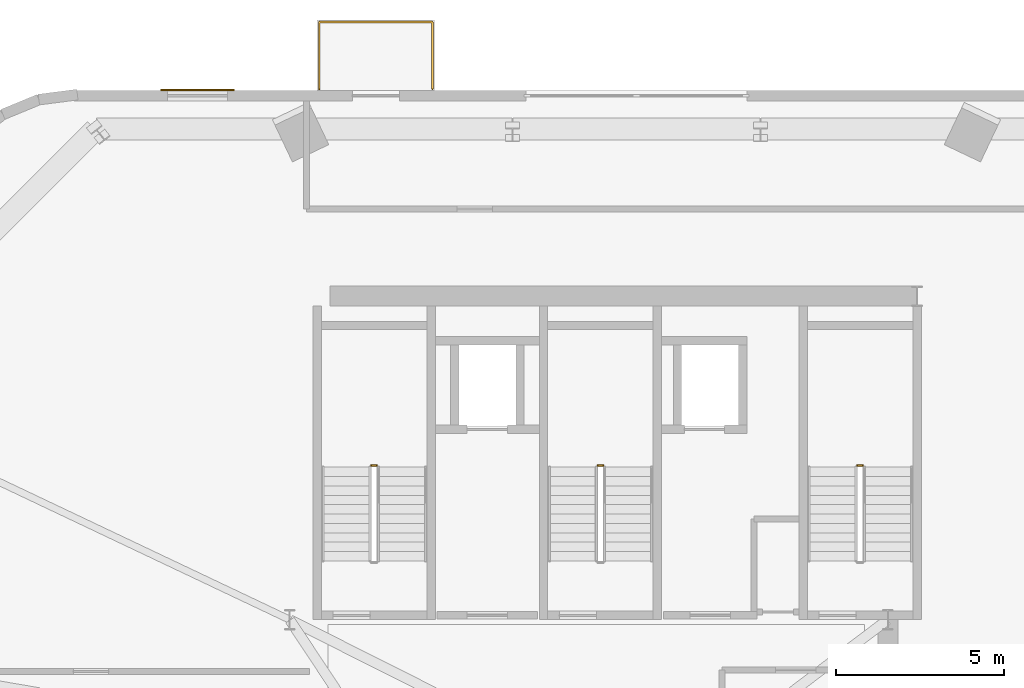
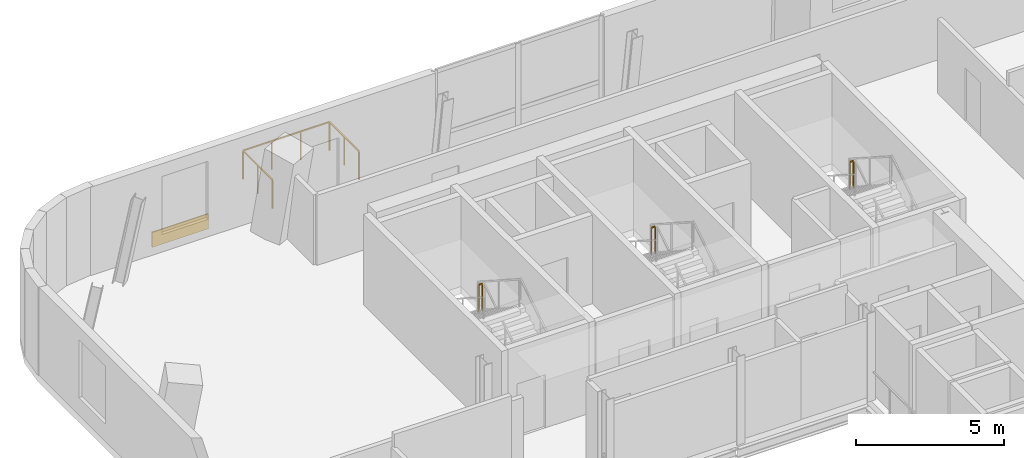
# One storey, part 13 of 14: 4 railings, 1 covering.
"""IFC4 building model written with IfcOpenShell, lengths in metres."""

import ifcopenshell
import ifcopenshell.guid

model = None  # the IFC model being written
_history = None  # IfcOwnerHistory: only IFC2X3 demands one
_inside = {}  # id of a spatial element -> (the spatial element, [elements in it])
_under = {}  # id of a project, library or spatial element -> (it, [spatial elements below it])
_declared = {}  # id of a project -> (the project, [libraries it declares])
_typed = {}  # id of a type object -> (the type object, [elements of that type])
_made_of = {}  # id of a material, layer set ... -> (it, [elements and type objects made of it])


def new_model(schema):
    """Start an empty IFC model of exactly this schema.

    Asked for "IFC4X3", IfcOpenShell would pick the latest addendum, in which some entities
    have other attributes; the version numbers below select the first issue.
    IFC2X3 requires an IfcOwnerHistory on every rooted entity: one is made here for all.
    """
    global model, _history
    if schema == "IFC4X3":
        model = ifcopenshell.file(schema_version=(4, 3, 0, 0))
    else:
        model = ifcopenshell.file(schema=schema)
    _inside.clear()
    _under.clear()
    _declared.clear()
    _typed.clear()
    _made_of.clear()
    _history = None
    if model.schema == "IFC2X3":
        org = make("IfcOrganization", Name="unknown")
        user = make(
            "IfcPersonAndOrganization",
            ThePerson=make("IfcPerson", FamilyName="unknown"),
            TheOrganization=org,
        )
        app = make(
            "IfcApplication",
            ApplicationDeveloper=org,
            Version="unknown",
            ApplicationFullName="unknown",
            ApplicationIdentifier="unknown",
        )
        _history = make(
            "IfcOwnerHistory",
            OwningUser=user,
            OwningApplication=app,
            ChangeAction="ADDED",
            CreationDate=0,
        )
    return model


def make(cls, **values):
    """One entity of the class cls with the attributes given. An attribute that is None is left unset."""
    return model.create_entity(
        cls, **{name: value for name, value in values.items() if value is not None}
    )


def rooted(cls, **values):
    """An entity with a GlobalId (a new one), such as an element, a storey or a relation."""
    return make(cls, GlobalId=ifcopenshell.guid.new(), OwnerHistory=_history, **values)


def si_unit(unit_type, name, prefix=None):
    """IfcSIUnit, for example si_unit("LENGTHUNIT", "METRE", prefix="MILLI")."""
    return make("IfcSIUnit", UnitType=unit_type, Prefix=prefix, Name=name)


def assignment(units):
    """IfcUnitAssignment: the units of a project."""
    return None if units is None else make("IfcUnitAssignment", Units=units)


def point(xyz):
    """IfcCartesianPoint."""
    return None if xyz is None else make("IfcCartesianPoint", Coordinates=xyz)


def direction(xyz):
    """IfcDirection."""
    return None if xyz is None else make("IfcDirection", DirectionRatios=xyz)


def frame(location, z_axis=None, x_axis=None):
    """IfcAxis2Placement3D, a coordinate frame: its origin and axes. An axis left out is left unset."""
    return make(
        "IfcAxis2Placement3D",
        Location=point(location),
        Axis=direction(z_axis),
        RefDirection=direction(x_axis),
    )


def frame_2d(location, x_axis=None):
    """IfcAxis2Placement2D, a coordinate frame in the plane: its origin and x axis."""
    return make(
        "IfcAxis2Placement2D", Location=point(location), RefDirection=direction(x_axis)
    )


def origin():
    """The frame at (0, 0, 0) with its axes left unset."""
    return frame((0.0, 0.0, 0.0))


def origin_2d():
    """The frame at (0, 0) in the plane with its x axis left unset."""
    return frame_2d((0.0, 0.0))


def place(relative_to, where):
    """IfcLocalPlacement: puts the frame where relative to a parent placement (None: the world)."""
    return make(
        "IfcLocalPlacement", PlacementRelTo=relative_to, RelativePlacement=where
    )


def context(
    kind, dimensions, precision=None, world=None, true_north=None, identifier=None
):
    """IfcGeometricRepresentationContext, for example the 3D "Model" context."""
    return make(
        "IfcGeometricRepresentationContext",
        ContextIdentifier=identifier,
        ContextType=kind,
        CoordinateSpaceDimension=dimensions,
        Precision=precision,
        WorldCoordinateSystem=world,
        TrueNorth=true_north,
    )


def subcontext(parent, identifier, kind, view, scale=None):
    """IfcGeometricRepresentationSubContext, for example "Body" below "Model"."""
    return make(
        "IfcGeometricRepresentationSubContext",
        ContextIdentifier=identifier,
        ContextType=kind,
        ParentContext=parent,
        TargetScale=scale,
        TargetView=view,
    )


def project(units=None, contexts=None):
    """IfcProject with its units and contexts."""
    return rooted(
        "IfcProject",
        Name="project",
        RepresentationContexts=contexts,
        UnitsInContext=assignment(units),
    )


def spatial(cls, under=None, at=None, **own):
    """A site, building, storey or space (cls), placed at a placement, below another one or the project."""
    s = rooted(cls, ObjectPlacement=at, **own)
    if under is not None:
        _under.setdefault(under.id(), (under, []))[1].append(s)
    return s


def profile(cls, at=None, kind="AREA", **sizes):
    """A parametric profile (cls). Its sizes go by their IFC names, for example OverallWidth=200.0."""
    return make(cls, ProfileType=kind, Position=at, **sizes)


def rectangle(**sizes):
    """IfcRectangleProfileDef."""
    return profile("IfcRectangleProfileDef", **sizes)


def extrude(swept, where, along, depth):
    """IfcExtrudedAreaSolid: the profile swept, set in the frame where, extruded along a direction by depth."""
    return make(
        "IfcExtrudedAreaSolid",
        SweptArea=swept,
        Position=where,
        ExtrudedDirection=direction(along),
        Depth=depth,
    )


def shape(context_of_items, identifier, shape_type, items):
    """IfcShapeRepresentation: the items that make up one representation, for example the "Body"."""
    return make(
        "IfcShapeRepresentation",
        ContextOfItems=context_of_items,
        RepresentationIdentifier=identifier,
        RepresentationType=shape_type,
        Items=items,
    )


def source(mapping_origin, context_of_items, identifier, shape_type, items):
    """IfcRepresentationMap: a shape defined once, which mapped items show again and again."""
    return make(
        "IfcRepresentationMap",
        MappingOrigin=mapping_origin,
        MappedRepresentation=shape(context_of_items, identifier, shape_type, items),
    )


def transform(
    local_origin,
    x_axis=None,
    y_axis=None,
    z_axis=None,
    scale=None,
    scale2=None,
    scale3=None,
    uniform=True,
):
    """IfcCartesianTransformationOperator3D, or its non-uniform kind. x_axis, y_axis, z_axis: its Axis1, 2, 3."""
    if uniform:
        return make(
            "IfcCartesianTransformationOperator3D",
            Axis1=direction(x_axis),
            Axis2=direction(y_axis),
            LocalOrigin=point(local_origin),
            Scale=scale,
            Axis3=direction(z_axis),
        )
    return make(
        "IfcCartesianTransformationOperator3DnonUniform",
        Axis1=direction(x_axis),
        Axis2=direction(y_axis),
        LocalOrigin=point(local_origin),
        Scale=scale,
        Axis3=direction(z_axis),
        Scale2=scale2,
        Scale3=scale3,
    )


def mapped(mapping_source, mapping_target):
    """IfcMappedItem: shows the shape of a source again, moved by a transform."""
    return make(
        "IfcMappedItem", MappingSource=mapping_source, MappingTarget=mapping_target
    )


def material(Name=None, Category=None):
    """IfcMaterial."""
    return make("IfcMaterial", Name=Name, Category=Category)


def layer(
    of_material, thickness, ventilated=None, Name=None, Category=None, Priority=None
):
    """IfcMaterialLayer: one layer of a wall or slab, of a material (None: an air gap)."""
    return make(
        "IfcMaterialLayer",
        Material=of_material,
        LayerThickness=thickness,
        IsVentilated=ventilated,
        Name=Name,
        Category=Category,
        Priority=Priority,
    )


def layer_set(layers, Name=None):
    """IfcMaterialLayerSet."""
    return make("IfcMaterialLayerSet", MaterialLayers=layers, LayerSetName=Name)


def made_of(thing, what):
    """Note that an element or type object is made of a material, layer set ...; save() writes the relation."""
    if what is not None:
        _made_of.setdefault(what.id(), (what, []))[1].append(thing)
    return thing


def type_object(cls, material=None, **own):
    """A type object (cls), such as IfcWallType, which elements share."""
    return made_of(rooted(cls, **own), material)


def element(
    cls,
    number,
    at=None,
    inside=None,
    cuts=None,
    type_object=None,
    material=None,
    context=None,
    identifier="Body",
    shape_type=None,
    held_by="IfcProductDefinitionShape",
    body=None,
    shapes=None,
    **own,
):
    """One element of the class cls, such as IfcWall. Its Tag is "e" and its number.

    at: its placement. inside: the storey or other place that contains it. cuts: it is an
    opening in that element (IfcRelVoidsElement). A single representation is given by context,
    identifier, shape_type and body (its items); several are given by shapes. held_by: the class
    of the entity that holds the representations. save() writes the other relations.
    """
    e = rooted(cls, Tag="e%d" % number, ObjectPlacement=at, **own)
    if body is not None:
        shapes = [shape(context, identifier, shape_type, body)]
    if shapes is not None:
        e.Representation = make(held_by, Representations=shapes)
    if inside is not None:
        _inside.setdefault(inside.id(), (inside, []))[1].append(e)
    if cuts is not None:
        rooted(
            "IfcRelVoidsElement", RelatingBuildingElement=cuts, RelatedOpeningElement=e
        )
    if type_object is not None:
        _typed.setdefault(type_object.id(), (type_object, []))[1].append(e)
    return made_of(e, material)


def aggregate(whole, parts):
    """IfcRelAggregates: a whole, such as a stair, and the parts it consists of."""
    return rooted("IfcRelAggregates", RelatingObject=whole, RelatedObjects=parts)


def save(model, path):
    """Write the relations noted so far, then the file.

    IfcRelAggregates (storeys below a building ...), IfcRelContainedInSpatialStructure (elements
    in a storey), IfcRelDefinesByType, IfcRelAssociatesMaterial and IfcRelDeclares: one each for
    every whole, place, type object, material and project.
    """
    for whole, parts in _under.values():
        aggregate(whole, parts)
    for where, things in _inside.values():
        rooted(
            "IfcRelContainedInSpatialStructure",
            RelatedElements=things,
            RelatingStructure=where,
        )
    for kind, things in _typed.values():
        rooted("IfcRelDefinesByType", RelatedObjects=things, RelatingType=kind)
    for what, things in _made_of.values():
        rooted("IfcRelAssociatesMaterial", RelatedObjects=things, RelatingMaterial=what)
    for by, libraries in _declared.values():
        rooted("IfcRelDeclares", RelatingContext=by, RelatedDefinitions=libraries)
    model.write(path)


model = new_model("IFC4")

# Units and contexts
model_context = context("Model", 3, precision=1e-05, world=origin(), true_north=direction((0.0, 1.0)))
body_context = subcontext(model_context, "Body", "Model", "MODEL_VIEW")
ifc_project = project(units=[si_unit("LENGTHUNIT", "METRE"), si_unit("AREAUNIT", "SQUARE_METRE"), si_unit("VOLUMEUNIT", "CUBIC_METRE"), si_unit("PLANEANGLEUNIT", "RADIAN"), si_unit("MASSUNIT", "GRAM", prefix="KILO")], contexts=[model_context])

# Site, building, storey
site_placement = place(None, origin())
site = spatial("IfcSite", under=ifc_project, at=site_placement, CompositionType="ELEMENT")
building_placement = place(site_placement, origin())
building = spatial("IfcBuilding", under=site, at=building_placement, Name="Vardaveli Station Tower", CompositionType="ELEMENT")
storey_placement = place(building_placement, frame((0.0, 0.0, 270.35009765625)))
storey = spatial("IfcBuildingStorey", under=building, at=storey_placement, Name="L69", CompositionType="ELEMENT", Elevation=270.35009765625)

# Covering
ifc_material_1 = material(Name="Ventilated honed travertine stone cladding", Category="masonry")
ifc_layer = layer(ifc_material_1, 0.044921875, Name="Ventilated honed travertine stone cladding")
ifc_layer_set = layer_set([ifc_layer], Name="Ventilated honed travertine stone cladding")
covering_type = type_object("IfcCoveringType", Name="COV-CLAD-TR45", PredefinedType="CLADDING", material=ifc_layer_set)
shared_shape_1 = source(origin(), body_context, "Body", "SweptSolid", [
    extrude(rectangle(XDim=2.199951171875, YDim=0.044921875, at=origin_2d()), origin(), (0.0, 0.0, 1.0), 0.6201171875),
])
covering_placement = place(storey_placement, frame((25.90087890625, 46.45458984375, 0.06982421875), z_axis=(0.0, 0.0, 1.0), x_axis=(1.0, 0.0, 0.0)))
element("IfcCovering", 1, at=covering_placement, inside=storey, type_object=covering_type, Name="CLD-TR-L69-N", PredefinedType="CLADDING", context=body_context, shape_type="MappedRepresentation", body=[
    mapped(shared_shape_1, transform((0.0, 0.0, 0.0), scale=1.0)),
])

# Railings
ifc_material_2 = material(Name="Laminated glass and stainless steel balustrade", Category="steel")
railing_type_1 = type_object("IfcRailingType", Name="RL-BAL-1200", PredefinedType="BALUSTRADE", material=ifc_material_2)
shared_shape_2 = source(origin(), body_context, "Body", "SweptSolid", [
    extrude(rectangle(XDim=0.048095703125, YDim=0.048095703125, at=origin_2d()), frame((0.0, 0.0, 1.17578125), z_axis=(0.0, 1.0, 0.0), x_axis=(-1.0, 0.0, 0.0)), (0.0, 0.0, 1.0), 2.0),
    extrude(rectangle(XDim=0.048095703125, YDim=0.048095703125, at=origin_2d()), frame((0.0, 2.0, 1.17578125), z_axis=(1.0, 0.0, 0.0), x_axis=(0.0, 1.0, 0.0)), (0.0, 0.0, 1.0), 3.380126953125),
    extrude(rectangle(XDim=0.048095703125, YDim=0.048095703125, at=origin_2d()), frame((3.380126953125, 2.0, 1.17578125), z_axis=(0.0, -1.0, 0.0), x_axis=(1.0, 0.0, 0.0)), (0.0, 0.0, 1.0), 2.0),
    extrude(rectangle(XDim=0.0419921875, YDim=0.0419921875, at=origin_2d()), origin(), (0.0, 0.0, 1.0), 1.15185546875),
    extrude(rectangle(XDim=0.0419921875, YDim=0.0419921875, at=origin_2d()), frame((0.0, 1.0, 0.0)), (0.0, 0.0, 1.0), 1.15185546875),
    extrude(rectangle(XDim=0.0419921875, YDim=0.0419921875, at=origin_2d()), frame((0.0, 2.0, 0.0)), (0.0, 0.0, 1.0), 1.15185546875),
    extrude(rectangle(XDim=0.0419921875, YDim=0.0419921875, at=origin_2d()), frame((1.126708984375, 2.0, 0.0)), (0.0, 0.0, 1.0), 1.15185546875),
    extrude(rectangle(XDim=0.0419921875, YDim=0.0419921875, at=origin_2d()), frame((2.25341796875, 2.0, 0.0)), (0.0, 0.0, 1.0), 1.15185546875),
    extrude(rectangle(XDim=0.0419921875, YDim=0.0419921875, at=origin_2d()), frame((3.380126953125, 2.0, 0.0)), (0.0, 0.0, 1.0), 1.15185546875),
    extrude(rectangle(XDim=0.0419921875, YDim=0.0419921875, at=origin_2d()), frame((3.380126953125, 1.0, 0.0)), (0.0, 0.0, 1.0), 1.15185546875),
    extrude(rectangle(XDim=0.0419921875, YDim=0.0419921875, at=origin_2d()), frame((3.380126953125, 0.0, 0.0)), (0.0, 0.0, 1.0), 1.15185546875),
])
railing_placement = place(storey_placement, frame((29.534423828125, 46.47998046875, 0.0)))
element("IfcRailing", 2, at=railing_placement, inside=storey, type_object=railing_type_1, Name="RL-LOG-L69-02", PredefinedType="BALUSTRADE", context=body_context, shape_type="MappedRepresentation", body=[
    mapped(shared_shape_2, transform((0.0, 0.0, 0.0), scale=1.0)),
])
ifc_material_3 = material(Name="Brushed AISI 316 stainless steel", Category="steel")
railing_type_2 = type_object("IfcRailingType", Name="RL-GUARD-1150", PredefinedType="GUARDRAIL", material=ifc_material_3)
shared_shape_3 = source(origin(), body_context, "Body", "SweptSolid", [
    extrude(rectangle(XDim=0.048095703125, YDim=0.048095703125, at=origin_2d()), frame((0.0, 0.0, 1.1259765625), z_axis=(-1.0, 0.0, 0.0), x_axis=(0.0, -1.0, 0.0)), (0.0, 0.0, 1.0), 0.14990234375),
    extrude(rectangle(XDim=0.0419921875, YDim=0.0419921875, at=origin_2d()), origin(), (0.0, 0.0, 1.0), 1.101806640625),
    extrude(rectangle(XDim=0.0419921875, YDim=0.0419921875, at=origin_2d()), frame((-0.14990234375, 0.0, 0.0)), (0.0, 0.0, 1.0), 1.101806640625),
])
for number, where, name in (
    (3, (31.25, 35.25, 1.974853515625), "L69 ST-1 stair guard 2"),
    (4, (38.0, 35.25, 1.974853515625), "L69 ST-2 stair guard 2"),
    (5, (45.75, 35.25, 1.974853515625), "L69 ST-3 stair guard 2"),
):
    element("IfcRailing", number, at=place(storey_placement, frame(where)), inside=storey, type_object=railing_type_2, Name=name, PredefinedType="GUARDRAIL", context=body_context, shape_type="MappedRepresentation", body=[
        mapped(shared_shape_3, transform((0.0, 0.0, 0.0), scale=1.0)),
    ])

save(model, "model.ifc")
